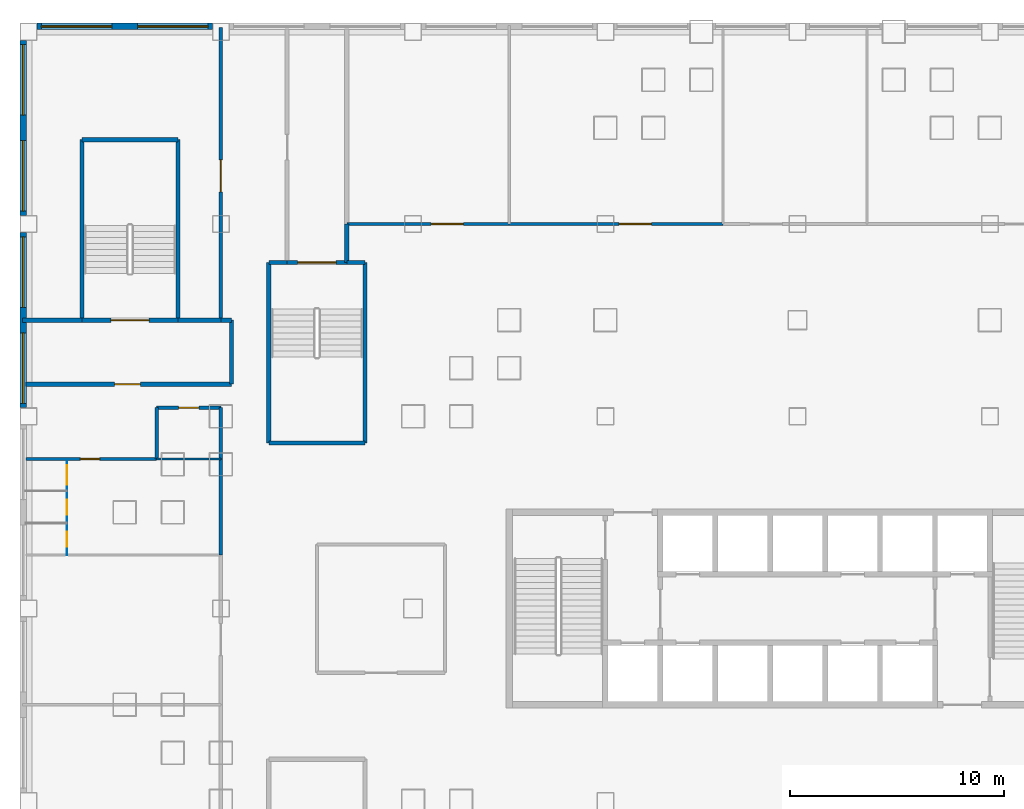
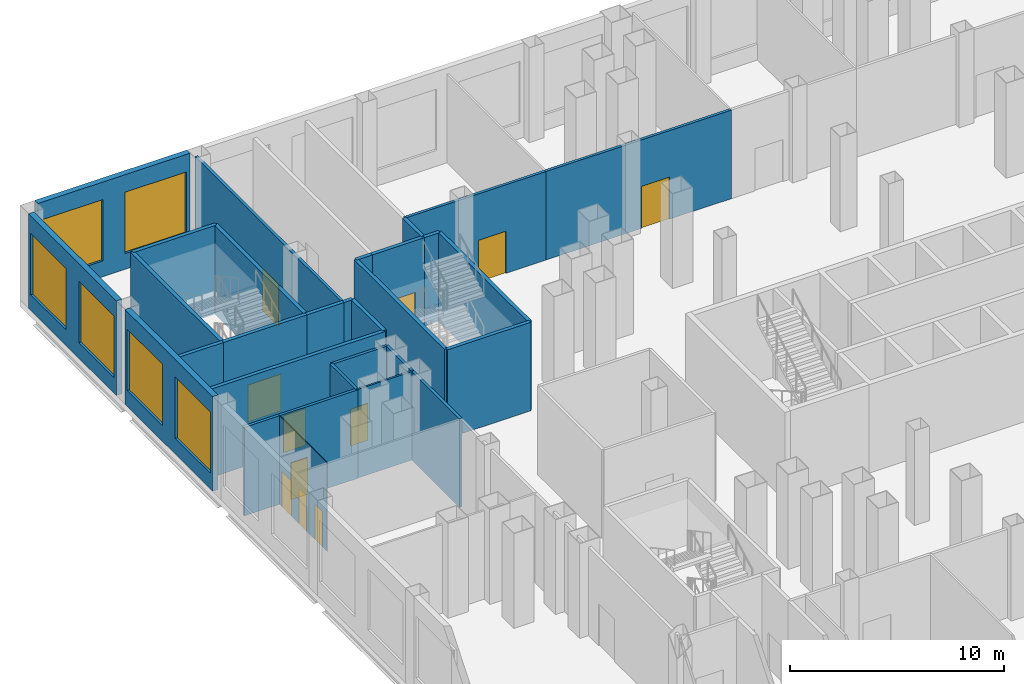
# One storey, part 6 of 27: 29 walls, 11 doors, 6 windows, 17 openings.
"""IFC4 building model written with IfcOpenShell, lengths in metres."""

from ifc_helpers import new_model, si_unit, direction, frame, frame_2d, origin, place, context, subcontext, project, spatial, rectangle, extrude, material, layer, layer_set, type_object, element, fill, save


model = new_model("IFC4")

# Units and contexts
model_context = context("Model", 3, precision=1e-05, world=origin(), true_north=direction((0.0, 1.0)))
body_context = subcontext(model_context, "Body", "Model", "MODEL_VIEW")
ifc_project = project(units=[si_unit("LENGTHUNIT", "METRE"), si_unit("AREAUNIT", "SQUARE_METRE"), si_unit("VOLUMEUNIT", "CUBIC_METRE"), si_unit("PLANEANGLEUNIT", "RADIAN"), si_unit("MASSUNIT", "GRAM", prefix="KILO")], contexts=[model_context])

# Site, building, storey
site_placement = place(None, origin())
site = spatial("IfcSite", under=ifc_project, at=site_placement, CompositionType="ELEMENT")
building_placement = place(site_placement, origin())
building = spatial("IfcBuilding", under=site, at=building_placement, Name="Caravel Reach Hotel and Residences", CompositionType="ELEMENT")
storey_placement = place(building_placement, frame((0.0, 0.0, 6.60009765625)))
storey = spatial("IfcBuildingStorey", under=building, at=storey_placement, Name="L01", CompositionType="ELEMENT", Elevation=6.60009765625)

# Wall, opening, door
ifc_material_1 = material(Name="Autoclaved aerated block wall")
ifc_layer_1 = layer(ifc_material_1, 0.199951171875)
ifc_layer_set_1 = layer_set([ifc_layer_1], Name="Compartment wall 200 mm EI 120")
wall_type_1 = type_object("IfcWallType", Name="Compartment wall 200 mm EI 120", PredefinedType="PARTITIONING", material=ifc_layer_set_1)
wall_1_placement = place(storey_placement, frame((-4.6201171875, 37.5, 0.0), z_axis=(0.0, 0.0, 1.0), x_axis=(1.0, 0.0, 0.0)))
wall_1 = element("IfcWall", 1, at=wall_1_placement, inside=storey, type_object=wall_type_1, Name="L01 wall w065", PredefinedType="PARTITIONING", context=body_context, shape_type="SweptSolid", body=[
    extrude(rectangle(XDim=9.6201171875, YDim=0.199951171875, at=frame_2d((4.81005859375, 0.0))), origin(), (0.0, 0.0, 1.0), 5.0498046875),
])
opening_1_placement = place(wall_1_placement, frame((4.14990234375, 0.0, 0.0)))
opening_1 = element("IfcOpeningElement", 2, at=opening_1_placement, cuts=wall_1, Name="Opening D01-022", PredefinedType="OPENING", context=body_context, shape_type="SweptSolid", body=[
    extrude(rectangle(XDim=1.199951171875, YDim=2.10009765625, at=frame_2d((0.60009765625, 1.050048828125))), frame((0.0, 0.10986328125, 0.0), z_axis=(0.0, -1.0, 0.0), x_axis=(1.0, 0.0, 0.0)), (0.0, 0.0, 1.0), 0.219970703125),
])
ifc_material_2 = material(Name="Steel fire door leaf", Category="steel")
door_type_1 = type_object("IfcDoorType", Name="Fire lobby door 1200 x 2100 EI 90", OperationType="SINGLE_SWING_LEFT", PredefinedType="DOOR", material=ifc_material_2)
door_1_placement = place(opening_1_placement, origin())
door_1 = element("IfcDoor", 3, at=door_1_placement, inside=storey, type_object=door_type_1, Name="door D01-022", OperationType="SINGLE_SWING_LEFT", OverallHeight=2.10009765625, OverallWidth=1.199951171875, PredefinedType="DOOR", context=body_context, shape_type="SweptSolid", body=[
    extrude(rectangle(XDim=1.199951171875, YDim=2.10009765625, at=frame_2d((0.60009765625, 1.050048828125))), frame((0.0, 0.02490234375, 0.0), z_axis=(0.0, -1.0, 0.0), x_axis=(1.0, 0.0, 0.0)), (0.0, 0.0, 1.0), 0.050048828125),
])
fill(opening_1, door_1)

# Walls
wall_2_placement = place(storey_placement, frame((4.5, 40.5, 0.0), z_axis=(0.0, 0.0, 1.0), x_axis=(1.0, 0.0, 0.0)))
element("IfcWall", 4, at=wall_2_placement, inside=storey, type_object=wall_type_1, Name="L01 wall w069", PredefinedType="PARTITIONING", context=body_context, shape_type="SweptSolid", body=[
    extrude(rectangle(XDim=0.5, YDim=0.199951171875, at=frame_2d((0.25, 0.0))), origin(), (0.0, 0.0, 1.0), 5.0498046875),
])
wall_3_placement = place(storey_placement, frame((-4.7900390625, 40.5, 0.0), z_axis=(0.0, 0.0, 1.0), x_axis=(1.0, 0.0, 0.0)))
element("IfcWall", 5, at=wall_3_placement, inside=storey, type_object=wall_type_1, Name="L01 wall w070", PredefinedType="PARTITIONING", context=body_context, shape_type="SweptSolid", body=[
    extrude(rectangle(XDim=2.7900390625, YDim=0.199951171875, at=frame_2d((1.39501953125, 0.0))), origin(), (0.0, 0.0, 1.0), 5.0498046875),
])
wall_4_placement = place(storey_placement, frame((2.5, 40.5, 0.0), z_axis=(0.0, 0.0, 1.0), x_axis=(1.0, 0.0, 0.0)))
element("IfcWall", 6, at=wall_4_placement, inside=storey, type_object=wall_type_1, Name="L01 wall w071", PredefinedType="PARTITIONING", context=body_context, shape_type="SweptSolid", body=[
    extrude(rectangle(XDim=2.0, YDim=0.199951171875, at=frame_2d((1.0, 0.0))), origin(), (0.0, 0.0, 1.0), 5.0498046875),
])
wall_5_placement = place(storey_placement, frame((10.39990234375, 43.199951171875, 0.0), z_axis=(0.0, 0.0, 1.0), x_axis=(0.0, 1.0, 0.0)))
element("IfcWall", 7, at=wall_5_placement, inside=storey, type_object=wall_type_1, Name="L01 wall w075", PredefinedType="PARTITIONING", context=body_context, shape_type="SweptSolid", body=[
    extrude(rectangle(XDim=1.800048828125, YDim=0.199951171875, at=frame_2d((0.89990234375, 0.0))), origin(), (0.0, 0.0, 1.0), 5.0498046875),
])
wall_6_placement = place(storey_placement, frame((5.0, 37.5, 0.0), z_axis=(0.0, 0.0, 1.0), x_axis=(0.0, 1.0, 0.0)))
element("IfcWall", 8, at=wall_6_placement, inside=storey, type_object=wall_type_1, Name="L01 wall w079", PredefinedType="PARTITIONING", context=body_context, shape_type="SweptSolid", body=[
    extrude(rectangle(XDim=3.0, YDim=0.199951171875, at=frame_2d((1.5, 0.0))), origin(), (0.0, 0.0, 1.0), 5.0498046875),
])

# Wall, opening, door
ifc_material_3 = material(Name="Gypsum board on steel stud, fire-rated", Category="steel")
ifc_layer_2 = layer(ifc_material_3, 0.14990234375)
ifc_layer_set_2 = layer_set([ifc_layer_2], Name="Corridor wall 150 mm EI 60")
wall_type_2 = type_object("IfcWallType", Name="Corridor wall 150 mm EI 60", PredefinedType="PARTITIONING", material=ifc_layer_set_2)
wall_7_placement = place(storey_placement, frame((-4.6201171875, 34.0, 0.0), z_axis=(0.0, 0.0, 1.0), x_axis=(1.0, 0.0, 0.0)))
wall_7 = element("IfcWall", 9, at=wall_7_placement, inside=storey, type_object=wall_type_2, Name="L01 wall w005", PredefinedType="PARTITIONING", context=body_context, shape_type="SweptSolid", body=[
    extrude(rectangle(XDim=6.1201171875, YDim=0.14990234375, at=frame_2d((3.06005859375, 0.0))), origin(), (0.0, 0.0, 1.0), 5.0498046875),
])
opening_2_placement = place(wall_7_placement, frame((2.550048828125, 0.0, 0.0)))
opening_2 = element("IfcOpeningElement", 10, at=opening_2_placement, cuts=wall_7, Name="Opening D01-031", PredefinedType="OPENING", context=body_context, shape_type="SweptSolid", body=[
    extrude(rectangle(XDim=0.89990234375, YDim=2.10009765625, at=frame_2d((0.449951171875, 1.050048828125))), frame((0.0, 0.0849609375, 0.0), z_axis=(0.0, -1.0, 0.0), x_axis=(1.0, 0.0, 0.0)), (0.0, 0.0, 1.0), 0.169921875),
])
ifc_material_4 = material(Name="Timber and steel door leaf", Category="steel")
door_type_2 = type_object("IfcDoorType", Name="Door 900 x 2100 timber", OperationType="SINGLE_SWING_LEFT", PredefinedType="DOOR", material=ifc_material_4)
door_2_placement = place(opening_2_placement, origin())
door_2 = element("IfcDoor", 11, at=door_2_placement, inside=storey, type_object=door_type_2, Name="door D01-031", OperationType="SINGLE_SWING_RIGHT", OverallHeight=2.10009765625, OverallWidth=0.89990234375, PredefinedType="DOOR", context=body_context, shape_type="SweptSolid", body=[
    extrude(rectangle(XDim=0.89990234375, YDim=2.10009765625, at=frame_2d((0.449951171875, 1.050048828125))), frame((0.0, 0.02490234375, 0.0), z_axis=(0.0, -1.0, 0.0), x_axis=(1.0, 0.0, 0.0)), (0.0, 0.0, 1.0), 0.050048828125),
])
fill(opening_2, door_2)

wall_8_placement = place(storey_placement, frame((1.5, 36.39990234375, 0.0), z_axis=(0.0, 0.0, 1.0), x_axis=(1.0, 0.0, 0.0)))
wall_8 = element("IfcWall", 12, at=wall_8_placement, inside=storey, type_object=wall_type_2, Name="L01 wall w007", PredefinedType="PARTITIONING", context=body_context, shape_type="SweptSolid", body=[
    extrude(rectangle(XDim=3.0, YDim=0.14990234375, at=frame_2d((1.5, 0.0))), origin(), (0.0, 0.0, 1.0), 5.0498046875),
])
opening_3_placement = place(wall_8_placement, frame((1.02490234375, 0.0, 0.0)))
opening_3 = element("IfcOpeningElement", 13, at=opening_3_placement, cuts=wall_8, Name="Opening D01-032", PredefinedType="OPENING", context=body_context, shape_type="SweptSolid", body=[
    extrude(rectangle(XDim=0.949951171875, YDim=2.10009765625, at=frame_2d((0.47509765625, 1.050048828125))), frame((0.0, 0.0849609375, 0.0), z_axis=(0.0, -1.0, 0.0), x_axis=(1.0, 0.0, 0.0)), (0.0, 0.0, 1.0), 0.169921875),
])
ifc_material_5 = material(Name="Timber and steel door leaf", Category="steel")
door_type_3 = type_object("IfcDoorType", Name="Accessible WC door 950 x 2100", OperationType="SINGLE_SWING_LEFT", PredefinedType="DOOR", material=ifc_material_5)
door_3_placement = place(opening_3_placement, origin())
door_3 = element("IfcDoor", 14, at=door_3_placement, inside=storey, type_object=door_type_3, Name="door D01-032", OperationType="SINGLE_SWING_LEFT", OverallHeight=2.10009765625, OverallWidth=0.949951171875, PredefinedType="DOOR", context=body_context, shape_type="SweptSolid", body=[
    extrude(rectangle(XDim=0.949951171875, YDim=2.10009765625, at=frame_2d((0.47509765625, 1.050048828125))), frame((0.0, 0.02490234375, 0.0), z_axis=(0.0, -1.0, 0.0), x_axis=(1.0, 0.0, 0.0)), (0.0, 0.0, 1.0), 0.050048828125),
])
fill(opening_3, door_3)

wall_9_placement = place(storey_placement, frame((10.39990234375, 45.0, 0.0), z_axis=(0.0, 0.0, 1.0), x_axis=(1.0, 0.0, 0.0)))
wall_9 = element("IfcWall", 15, at=wall_9_placement, inside=storey, type_object=wall_type_2, Name="L01 wall w009", PredefinedType="PARTITIONING", context=body_context, shape_type="SweptSolid", body=[
    extrude(rectangle(XDim=7.60009765625, YDim=0.14990234375, at=frame_2d((3.800048828125, 0.0))), origin(), (0.0, 0.0, 1.0), 5.0498046875),
])
opening_4_placement = place(wall_9_placement, frame((3.949951171875, 0.0, 0.0)))
opening_4 = element("IfcOpeningElement", 16, at=opening_4_placement, cuts=wall_9, Name="Opening D01-046", PredefinedType="OPENING", context=body_context, shape_type="SweptSolid", body=[
    extrude(rectangle(XDim=1.5, YDim=2.39990234375, at=frame_2d((0.75, 1.199951171875))), frame((0.0, 0.0849609375, 0.0), z_axis=(0.0, -1.0, 0.0), x_axis=(1.0, 0.0, 0.0)), (0.0, 0.0, 1.0), 0.169921875),
])
ifc_material_6 = material(Name="Timber and steel door leaf", Category="steel")
door_type_4 = type_object("IfcDoorType", Name="Shopfront door 1500 x 2400", OperationType="DOUBLE_DOOR_SINGLE_SWING", PredefinedType="DOOR", material=ifc_material_6)
door_4_placement = place(opening_4_placement, origin())
door_4 = element("IfcDoor", 17, at=door_4_placement, inside=storey, type_object=door_type_4, Name="door D01-046", OperationType="DOUBLE_DOOR_SINGLE_SWING", OverallHeight=2.39990234375, OverallWidth=1.5, PredefinedType="DOOR", context=body_context, shape_type="SweptSolid", body=[
    extrude(rectangle(XDim=1.5, YDim=2.39990234375, at=frame_2d((0.75, 1.199951171875))), frame((0.0, 0.02490234375, 0.0), z_axis=(0.0, -1.0, 0.0), x_axis=(1.0, 0.0, 0.0)), (0.0, 0.0, 1.0), 0.050048828125),
])
fill(opening_4, door_4)

wall_10_placement = place(storey_placement, frame((18.0, 45.0, 0.0), z_axis=(0.0, 0.0, 1.0), x_axis=(1.0, 0.0, 0.0)))
wall_10 = element("IfcWall", 18, at=wall_10_placement, inside=storey, type_object=wall_type_2, Name="L01 wall w010", PredefinedType="PARTITIONING", context=body_context, shape_type="SweptSolid", body=[
    extrude(rectangle(XDim=10.0, YDim=0.14990234375, at=frame_2d((5.0, 0.0))), origin(), (0.0, 0.0, 1.0), 5.0498046875),
])
opening_5_placement = place(wall_10_placement, frame((5.14990234375, 0.0, 0.0)))
opening_5 = element("IfcOpeningElement", 19, at=opening_5_placement, cuts=wall_10, Name="Opening D01-047", PredefinedType="OPENING", context=body_context, shape_type="SweptSolid", body=[
    extrude(rectangle(XDim=1.5, YDim=2.39990234375, at=frame_2d((0.75, 1.199951171875))), frame((0.0, 0.0849609375, 0.0), z_axis=(0.0, -1.0, 0.0), x_axis=(1.0, 0.0, 0.0)), (0.0, 0.0, 1.0), 0.169921875),
])
door_5_placement = place(opening_5_placement, origin())
door_5 = element("IfcDoor", 20, at=door_5_placement, inside=storey, type_object=door_type_4, Name="door D01-047", OperationType="DOUBLE_DOOR_SINGLE_SWING", OverallHeight=2.39990234375, OverallWidth=1.5, PredefinedType="DOOR", context=body_context, shape_type="SweptSolid", body=[
    extrude(rectangle(XDim=1.5, YDim=2.39990234375, at=frame_2d((0.75, 1.199951171875))), frame((0.0, 0.02490234375, 0.0), z_axis=(0.0, -1.0, 0.0), x_axis=(1.0, 0.0, 0.0)), (0.0, 0.0, 1.0), 0.050048828125),
])
fill(opening_5, door_5)

# Walls
wall_11_placement = place(storey_placement, frame((1.5, 34.0, 0.0), z_axis=(0.0, 0.0, 1.0), x_axis=(0.0, 1.0, 0.0)))
element("IfcWall", 21, at=wall_11_placement, inside=storey, type_object=wall_type_2, Name="L01 wall w023", PredefinedType="PARTITIONING", context=body_context, shape_type="SweptSolid", body=[
    extrude(rectangle(XDim=2.39990234375, YDim=0.14990234375, at=frame_2d((1.199951171875, 0.0))), origin(), (0.0, 0.0, 1.0), 5.0498046875),
])
wall_12_placement = place(storey_placement, frame((4.5, 29.5, 0.0), z_axis=(0.0, 0.0, 1.0), x_axis=(0.0, 1.0, 0.0)))
element("IfcWall", 22, at=wall_12_placement, inside=storey, type_object=wall_type_2, Name="L01 wall w027", PredefinedType="PARTITIONING", context=body_context, shape_type="SweptSolid", body=[
    extrude(rectangle(XDim=4.5, YDim=0.14990234375, at=frame_2d((2.25, 0.0))), origin(), (0.0, 0.0, 1.0), 5.0498046875),
])
wall_13_placement = place(storey_placement, frame((4.5, 34.0, 0.0), z_axis=(0.0, 0.0, 1.0), x_axis=(0.0, 1.0, 0.0)))
element("IfcWall", 23, at=wall_13_placement, inside=storey, type_object=wall_type_2, Name="L01 wall w028", PredefinedType="PARTITIONING", context=body_context, shape_type="SweptSolid", body=[
    extrude(rectangle(XDim=2.39990234375, YDim=0.14990234375, at=frame_2d((1.199951171875, 0.0))), origin(), (0.0, 0.0, 1.0), 5.0498046875),
])

# Wall, opening, door
wall_14_placement = place(storey_placement, frame((4.5, 40.5, 0.0), z_axis=(0.0, 0.0, 1.0), x_axis=(0.0, 1.0, 0.0)))
wall_14 = element("IfcWall", 24, at=wall_14_placement, inside=storey, type_object=wall_type_2, Name="L01 wall w029", PredefinedType="PARTITIONING", context=body_context, shape_type="SweptSolid", body=[
    extrude(rectangle(XDim=13.68994140625, YDim=0.14990234375, at=frame_2d((6.844970703125, 0.0))), origin(), (0.0, 0.0, 1.0), 5.0498046875),
])
opening_6_placement = place(wall_14_placement, frame((6.0, 0.0, 0.0)))
opening_6 = element("IfcOpeningElement", 25, at=opening_6_placement, cuts=wall_14, Name="Opening D01-033", PredefinedType="OPENING", context=body_context, shape_type="SweptSolid", body=[
    extrude(rectangle(XDim=1.5, YDim=2.39990234375, at=frame_2d((0.75, 1.199951171875))), frame((0.0, 0.0849609375, 0.0), z_axis=(0.0, -1.0, 0.0), x_axis=(1.0, 0.0, 0.0)), (0.0, 0.0, 1.0), 0.169921875),
])
door_6_placement = place(opening_6_placement, origin())
door_6 = element("IfcDoor", 26, at=door_6_placement, inside=storey, type_object=door_type_4, Name="door D01-033", OperationType="DOUBLE_DOOR_SINGLE_SWING", OverallHeight=2.39990234375, OverallWidth=1.5, PredefinedType="DOOR", context=body_context, shape_type="SweptSolid", body=[
    extrude(rectangle(XDim=1.5, YDim=2.39990234375, at=frame_2d((0.75, 1.199951171875))), frame((0.0, 0.02490234375, 0.0), z_axis=(0.0, -1.0, 0.0), x_axis=(1.0, 0.0, 0.0)), (0.0, 0.0, 1.0), 0.050048828125),
])
fill(opening_6, door_6)

# Wall, openings, windows
ifc_material_7 = material(Name="Insulated wall, stone cladding", Category="masonry")
ifc_layer_3 = layer(ifc_material_7, 0.300048828125)
ifc_layer_set_3 = layer_set([ifc_layer_3], Name="EW2 Podium stone-clad wall")
wall_type_3 = type_object("IfcWallType", Name="EW2 Podium stone-clad wall", PredefinedType="SOLIDWALL", material=ifc_layer_set_3)
wall_15_placement = place(storey_placement, frame((4.10009765625, 54.25, 0.0), z_axis=(0.0, 0.0, 1.0), x_axis=(-1.0, 0.0, 0.0)))
wall_15 = element("IfcWall", 27, at=wall_15_placement, inside=storey, type_object=wall_type_3, Name="External wall L01 N2.10", PredefinedType="SOLIDWALL", context=body_context, shape_type="SweptSolid", body=[
    extrude(rectangle(XDim=8.2001953125, YDim=0.300048828125, at=frame_2d((4.10009765625, 0.0))), origin(), (0.0, 0.0, 1.0), 5.39990234375),
])
opening_7_placement = place(wall_15_placement, frame((0.199951171875, 0.0, 0.89990234375)))
opening_7 = element("IfcOpeningElement", 28, at=opening_7_placement, cuts=wall_15, Name="Opening WN30", PredefinedType="OPENING", context=body_context, shape_type="SweptSolid", body=[
    extrude(rectangle(XDim=3.300048828125, YDim=3.5, at=frame_2d((1.64990234375, 1.75))), frame((0.0, 0.159912109375, 0.0), z_axis=(0.0, -1.0, 0.0), x_axis=(1.0, 0.0, 0.0)), (0.0, 0.0, 1.0), 0.320068359375),
])
opening_8_placement = place(wall_15_placement, frame((4.699951171875, 0.0, 0.89990234375)))
opening_8 = element("IfcOpeningElement", 29, at=opening_8_placement, cuts=wall_15, Name="Opening WN30", PredefinedType="OPENING", context=body_context, shape_type="SweptSolid", body=[
    extrude(rectangle(XDim=3.300048828125, YDim=3.5, at=frame_2d((1.64990234375, 1.75))), frame((0.0, 0.159912109375, 0.0), z_axis=(0.0, -1.0, 0.0), x_axis=(1.0, 0.0, 0.0)), (0.0, 0.0, 1.0), 0.320068359375),
])
ifc_material_8 = material(Name="Dark low-e glazing in black aluminium frame", Category="aluminium")
window_type = type_object("IfcWindowType", Name="Podium window 3300 x 3500", PartitioningType="SINGLE_PANEL", PredefinedType="WINDOW", material=ifc_material_8)
window_1_placement = place(opening_7_placement, origin())
window_1 = element("IfcWindow", 30, at=window_1_placement, inside=storey, type_object=window_type, Name="Window L01 N2.10.1", OverallHeight=3.5, OverallWidth=3.300048828125, PartitioningType="SINGLE_PANEL", PredefinedType="WINDOW", context=body_context, shape_type="SweptSolid", body=[
    extrude(rectangle(XDim=3.300048828125, YDim=3.5, at=frame_2d((1.64990234375, 1.75))), frame((0.0, 0.030029296875, 0.0), z_axis=(0.0, -1.0, 0.0), x_axis=(1.0, 0.0, 0.0)), (0.0, 0.0, 1.0), 0.06005859375),
])
fill(opening_7, window_1)
window_2_placement = place(opening_8_placement, origin())
window_2 = element("IfcWindow", 31, at=window_2_placement, inside=storey, type_object=window_type, Name="Window L01 N2.10.2", OverallHeight=3.5, OverallWidth=3.300048828125, PartitioningType="SINGLE_PANEL", PredefinedType="WINDOW", context=body_context, shape_type="SweptSolid", body=[
    extrude(rectangle(XDim=3.300048828125, YDim=3.5, at=frame_2d((1.64990234375, 1.75))), frame((0.0, 0.030029296875, 0.0), z_axis=(0.0, -1.0, 0.0), x_axis=(1.0, 0.0, 0.0)), (0.0, 0.0, 1.0), 0.06005859375),
])
fill(opening_8, window_2)

wall_16_placement = place(storey_placement, frame((-4.75, 53.60009765625, 0.0), z_axis=(0.0, 0.0, 1.0), x_axis=(0.0, -1.0, 0.0)))
wall_16 = element("IfcWall", 32, at=wall_16_placement, inside=storey, type_object=wall_type_3, Name="External wall L01 W3.1", PredefinedType="SOLIDWALL", context=body_context, shape_type="SweptSolid", body=[
    extrude(rectangle(XDim=8.2001953125, YDim=0.300048828125, at=frame_2d((4.10009765625, 0.0))), origin(), (0.0, 0.0, 1.0), 5.39990234375),
])
opening_9_placement = place(wall_16_placement, frame((0.199951171875, 0.0, 0.89990234375)))
opening_9 = element("IfcOpeningElement", 33, at=opening_9_placement, cuts=wall_16, Name="Opening WN30", PredefinedType="OPENING", context=body_context, shape_type="SweptSolid", body=[
    extrude(rectangle(XDim=3.300048828125, YDim=3.5, at=frame_2d((1.64990234375, 1.75))), frame((0.0, 0.159912109375, 0.0), z_axis=(0.0, -1.0, 0.0), x_axis=(1.0, 0.0, 0.0)), (0.0, 0.0, 1.0), 0.320068359375),
])
opening_10_placement = place(wall_16_placement, frame((4.699951171875, 0.0, 0.89990234375)))
opening_10 = element("IfcOpeningElement", 34, at=opening_10_placement, cuts=wall_16, Name="Opening WN30", PredefinedType="OPENING", context=body_context, shape_type="SweptSolid", body=[
    extrude(rectangle(XDim=3.300048828125, YDim=3.5, at=frame_2d((1.64990234375, 1.75))), frame((0.0, 0.159912109375, 0.0), z_axis=(0.0, -1.0, 0.0), x_axis=(1.0, 0.0, 0.0)), (0.0, 0.0, 1.0), 0.320068359375),
])
window_3_placement = place(opening_9_placement, origin())
window_3 = element("IfcWindow", 35, at=window_3_placement, inside=storey, type_object=window_type, Name="Window L01 W3.1.1", OverallHeight=3.5, OverallWidth=3.300048828125, PartitioningType="SINGLE_PANEL", PredefinedType="WINDOW", context=body_context, shape_type="SweptSolid", body=[
    extrude(rectangle(XDim=3.300048828125, YDim=3.5, at=frame_2d((1.64990234375, 1.75))), frame((0.0, 0.030029296875, 0.0), z_axis=(0.0, -1.0, 0.0), x_axis=(1.0, 0.0, 0.0)), (0.0, 0.0, 1.0), 0.06005859375),
])
fill(opening_9, window_3)
window_4_placement = place(opening_10_placement, origin())
window_4 = element("IfcWindow", 36, at=window_4_placement, inside=storey, type_object=window_type, Name="Window L01 W3.1.2", OverallHeight=3.5, OverallWidth=3.300048828125, PartitioningType="SINGLE_PANEL", PredefinedType="WINDOW", context=body_context, shape_type="SweptSolid", body=[
    extrude(rectangle(XDim=3.300048828125, YDim=3.5, at=frame_2d((1.64990234375, 1.75))), frame((0.0, 0.030029296875, 0.0), z_axis=(0.0, -1.0, 0.0), x_axis=(1.0, 0.0, 0.0)), (0.0, 0.0, 1.0), 0.06005859375),
])
fill(opening_10, window_4)

wall_17_placement = place(storey_placement, frame((-4.75, 44.60009765625, 0.0), z_axis=(0.0, 0.0, 1.0), x_axis=(0.0, -1.0, 0.0)))
wall_17 = element("IfcWall", 37, at=wall_17_placement, inside=storey, type_object=wall_type_3, Name="External wall L01 W3.2", PredefinedType="SOLIDWALL", context=body_context, shape_type="SweptSolid", body=[
    extrude(rectangle(XDim=8.2001953125, YDim=0.300048828125, at=frame_2d((4.10009765625, 0.0))), origin(), (0.0, 0.0, 1.0), 5.39990234375),
])
opening_11_placement = place(wall_17_placement, frame((0.199951171875, 0.0, 0.89990234375)))
opening_11 = element("IfcOpeningElement", 38, at=opening_11_placement, cuts=wall_17, Name="Opening WN30", PredefinedType="OPENING", context=body_context, shape_type="SweptSolid", body=[
    extrude(rectangle(XDim=3.300048828125, YDim=3.5, at=frame_2d((1.64990234375, 1.75))), frame((0.0, 0.159912109375, 0.0), z_axis=(0.0, -1.0, 0.0), x_axis=(1.0, 0.0, 0.0)), (0.0, 0.0, 1.0), 0.320068359375),
])
opening_12_placement = place(wall_17_placement, frame((4.699951171875, 0.0, 0.89990234375)))
opening_12 = element("IfcOpeningElement", 39, at=opening_12_placement, cuts=wall_17, Name="Opening WN30", PredefinedType="OPENING", context=body_context, shape_type="SweptSolid", body=[
    extrude(rectangle(XDim=3.300048828125, YDim=3.5, at=frame_2d((1.64990234375, 1.75))), frame((0.0, 0.159912109375, 0.0), z_axis=(0.0, -1.0, 0.0), x_axis=(1.0, 0.0, 0.0)), (0.0, 0.0, 1.0), 0.320068359375),
])
window_5_placement = place(opening_11_placement, origin())
window_5 = element("IfcWindow", 40, at=window_5_placement, inside=storey, type_object=window_type, Name="Window L01 W3.2.1", OverallHeight=3.5, OverallWidth=3.300048828125, PartitioningType="SINGLE_PANEL", PredefinedType="WINDOW", context=body_context, shape_type="SweptSolid", body=[
    extrude(rectangle(XDim=3.300048828125, YDim=3.5, at=frame_2d((1.64990234375, 1.75))), frame((0.0, 0.030029296875, 0.0), z_axis=(0.0, -1.0, 0.0), x_axis=(1.0, 0.0, 0.0)), (0.0, 0.0, 1.0), 0.06005859375),
])
fill(opening_11, window_5)
window_6_placement = place(opening_12_placement, origin())
window_6 = element("IfcWindow", 41, at=window_6_placement, inside=storey, type_object=window_type, Name="Window L01 W3.2.2", OverallHeight=3.5, OverallWidth=3.300048828125, PartitioningType="SINGLE_PANEL", PredefinedType="WINDOW", context=body_context, shape_type="SweptSolid", body=[
    extrude(rectangle(XDim=3.300048828125, YDim=3.5, at=frame_2d((1.64990234375, 1.75))), frame((0.0, 0.030029296875, 0.0), z_axis=(0.0, -1.0, 0.0), x_axis=(1.0, 0.0, 0.0)), (0.0, 0.0, 1.0), 0.06005859375),
])
fill(opening_12, window_6)

# Walls
ifc_material_9 = material(Name="Gypsum board on steel stud", Category="steel")
ifc_layer_4 = layer(ifc_material_9, 0.10009765625)
ifc_layer_set_4 = layer_set([ifc_layer_4], Name="Partition 100 mm")
wall_type_4 = type_object("IfcWallType", Name="Partition 100 mm", PredefinedType="PARTITIONING", material=ifc_layer_set_4)
wall_18_placement = place(storey_placement, frame((1.5, 34.0, 0.0), z_axis=(0.0, 0.0, 1.0), x_axis=(1.0, 0.0, 0.0)))
element("IfcWall", 42, at=wall_18_placement, inside=storey, type_object=wall_type_4, Name="L01 wall w044", PredefinedType="PARTITIONING", context=body_context, shape_type="SweptSolid", body=[
    extrude(rectangle(XDim=3.0, YDim=0.10009765625, at=frame_2d((1.5, 0.0))), origin(), (0.0, 0.0, 1.0), 5.0498046875),
])
ifc_material_10 = material(Name="Concrete C60", Category="concrete")
ifc_layer_5 = layer(ifc_material_10, 0.199951171875)
ifc_layer_set_5 = layer_set([ifc_layer_5], Name="Stair enclosure wall 200 mm EI 120")
wall_type_5 = type_object("IfcWallType", Name="Stair enclosure wall 200 mm EI 120", PredefinedType="SHEAR", material=ifc_layer_set_5)
wall_19_placement = place(storey_placement, frame((6.75, 34.75, 0.0), z_axis=(0.0, 0.0, 1.0), x_axis=(1.0, 0.0, 0.0)))
element("IfcWall", 43, at=wall_19_placement, inside=storey, type_object=wall_type_5, Name="L01 wall w101", PredefinedType="SHEAR", context=body_context, shape_type="SweptSolid", body=[
    extrude(rectangle(XDim=4.5, YDim=0.199951171875, at=frame_2d((2.25, 0.0))), origin(), (0.0, 0.0, 1.0), 5.0498046875),
])

# Wall, opening, door
wall_20_placement = place(storey_placement, frame((-2.0, 40.5, 0.0), z_axis=(0.0, 0.0, 1.0), x_axis=(1.0, 0.0, 0.0)))
wall_20 = element("IfcWall", 44, at=wall_20_placement, inside=storey, type_object=wall_type_5, Name="L01 wall w103", PredefinedType="SHEAR", context=body_context, shape_type="SweptSolid", body=[
    extrude(rectangle(XDim=4.5, YDim=0.199951171875, at=frame_2d((2.25, 0.0))), origin(), (0.0, 0.0, 1.0), 5.0498046875),
])
opening_13_placement = place(wall_20_placement, frame((1.35009765625, 0.0, 0.0)))
opening_13 = element("IfcOpeningElement", 45, at=opening_13_placement, cuts=wall_20, Name="Opening D01-023", PredefinedType="OPENING", context=body_context, shape_type="SweptSolid", body=[
    extrude(rectangle(XDim=1.800048828125, YDim=2.10009765625, at=frame_2d((0.89990234375, 1.050048828125))), frame((0.0, 0.10986328125, 0.0), z_axis=(0.0, -1.0, 0.0), x_axis=(1.0, 0.0, 0.0)), (0.0, 0.0, 1.0), 0.219970703125),
])
ifc_material_11 = material(Name="Steel fire door leaf", Category="steel")
door_type_5 = type_object("IfcDoorType", Name="Stair door pair 1800 x 2100 EI 90", OperationType="DOUBLE_DOOR_SINGLE_SWING", PredefinedType="DOOR", material=ifc_material_11)
door_7_placement = place(opening_13_placement, origin())
door_7 = element("IfcDoor", 46, at=door_7_placement, inside=storey, type_object=door_type_5, Name="door D01-023", OperationType="DOUBLE_DOOR_SINGLE_SWING", OverallHeight=2.10009765625, OverallWidth=1.800048828125, PredefinedType="DOOR", context=body_context, shape_type="SweptSolid", body=[
    extrude(rectangle(XDim=1.800048828125, YDim=2.10009765625, at=frame_2d((0.89990234375, 1.050048828125))), frame((0.0, 0.02490234375, 0.0), z_axis=(0.0, -1.0, 0.0), x_axis=(1.0, 0.0, 0.0)), (0.0, 0.0, 1.0), 0.050048828125),
])
fill(opening_13, door_7)

# Walls
for number, where, z_axis, x_axis, name in (
    (47, (6.75, 43.199951171875, 0.0), (0.0, 0.0, 1.0), (1.0, 0.0, 0.0), "L01 wall w105"),
    (48, (10.39990234375, 43.199951171875, 0.0), (0.0, 0.0, 1.0), (1.0, 0.0, 0.0), "L01 wall w106"),
):
    element("IfcWall", number, at=place(storey_placement, frame(where, z_axis=z_axis, x_axis=x_axis)), inside=storey, type_object=wall_type_5, Name=name, PredefinedType="SHEAR", context=body_context, shape_type="SweptSolid", body=[
        extrude(rectangle(XDim=0.85009765625, YDim=0.199951171875, at=frame_2d((0.425048828125, 0.0))), origin(), (0.0, 0.0, 1.0), 5.0498046875),
    ])

# Wall, opening, door
wall_21_placement = place(storey_placement, frame((7.60009765625, 43.199951171875, 0.0), z_axis=(0.0, 0.0, 1.0), x_axis=(1.0, 0.0, 0.0)))
wall_21 = element("IfcWall", 49, at=wall_21_placement, inside=storey, type_object=wall_type_5, Name="L01 wall w107", PredefinedType="SHEAR", context=body_context, shape_type="SweptSolid", body=[
    extrude(rectangle(XDim=2.7998046875, YDim=0.199951171875, at=frame_2d((1.39990234375, 0.0))), origin(), (0.0, 0.0, 1.0), 5.0498046875),
])
opening_14_placement = place(wall_21_placement, frame((0.5, 0.0, 0.0)))
opening_14 = element("IfcOpeningElement", 50, at=opening_14_placement, cuts=wall_21, Name="Opening D01-015", PredefinedType="OPENING", context=body_context, shape_type="SweptSolid", body=[
    extrude(rectangle(XDim=1.800048828125, YDim=2.10009765625, at=frame_2d((0.89990234375, 1.050048828125))), frame((0.0, 0.10986328125, 0.0), z_axis=(0.0, -1.0, 0.0), x_axis=(1.0, 0.0, 0.0)), (0.0, 0.0, 1.0), 0.219970703125),
])
door_8_placement = place(opening_14_placement, origin())
door_8 = element("IfcDoor", 51, at=door_8_placement, inside=storey, type_object=door_type_5, Name="door D01-015", OperationType="DOUBLE_DOOR_SINGLE_SWING", OverallHeight=2.10009765625, OverallWidth=1.800048828125, PredefinedType="DOOR", context=body_context, shape_type="SweptSolid", body=[
    extrude(rectangle(XDim=1.800048828125, YDim=2.10009765625, at=frame_2d((0.89990234375, 1.050048828125))), frame((0.0, 0.02490234375, 0.0), z_axis=(0.0, -1.0, 0.0), x_axis=(1.0, 0.0, 0.0)), (0.0, 0.0, 1.0), 0.050048828125),
])
fill(opening_14, door_8)

# Walls
wall_22_placement = place(storey_placement, frame((-2.0, 48.949951171875, 0.0), z_axis=(0.0, 0.0, 1.0), x_axis=(1.0, 0.0, 0.0)))
element("IfcWall", 52, at=wall_22_placement, inside=storey, type_object=wall_type_5, Name="L01 wall w111", PredefinedType="SHEAR", context=body_context, shape_type="SweptSolid", body=[
    extrude(rectangle(XDim=4.5, YDim=0.199951171875, at=frame_2d((2.25, 0.0))), origin(), (0.0, 0.0, 1.0), 5.0498046875),
])
for number, where, z_axis, x_axis, name in (
    (53, (-2.0, 40.5, 0.0), (0.0, 0.0, 1.0), (0.0, 1.0, 0.0), "L01 wall w114"),
    (54, (11.25, 34.75, 0.0), (0.0, 0.0, 1.0), (0.0, 1.0, 0.0), "L01 wall w115"),
    (55, (2.5, 40.5, 0.0), (0.0, 0.0, 1.0), (0.0, 1.0, 0.0), "L01 wall w117"),
    (56, (6.75, 34.75, 0.0), (0.0, 0.0, 1.0), (0.0, 1.0, 0.0), "L01 wall w122"),
):
    element("IfcWall", number, at=place(storey_placement, frame(where, z_axis=z_axis, x_axis=x_axis)), inside=storey, type_object=wall_type_5, Name=name, PredefinedType="SHEAR", context=body_context, shape_type="SweptSolid", body=[
        extrude(rectangle(XDim=8.449951171875, YDim=0.199951171875, at=frame_2d((4.22509765625, 0.0))), origin(), (0.0, 0.0, 1.0), 5.0498046875),
    ])

# Wall, openings, doors
ifc_material_12 = material(Name="Laminate cubicle panel")
ifc_layer_6 = layer(ifc_material_12, 0.0400390625)
ifc_layer_set_6 = layer_set([ifc_layer_6], Name="WC cubicle partition 40 mm")
wall_type_6 = type_object("IfcWallType", Name="WC cubicle partition 40 mm", PredefinedType="PARTITIONING", material=ifc_layer_set_6)
wall_23_placement = place(storey_placement, frame((-2.699951171875, 29.5, 0.0), z_axis=(0.0, 0.0, 1.0), x_axis=(0.0, 1.0, 0.0)))
wall_23 = element("IfcWall", 57, at=wall_23_placement, inside=storey, type_object=wall_type_6, Name="L01 wall cbr04.f", PredefinedType="PARTITIONING", context=body_context, shape_type="SweptSolid", body=[
    extrude(rectangle(XDim=4.5, YDim=0.0400390625, at=frame_2d((2.25, 0.0))), origin(), (0.0, 0.0, 1.0), 5.0498046875),
])
opening_15_placement = place(wall_23_placement, frame((0.39990234375, 0.0, 0.0)))
opening_15 = element("IfcOpeningElement", 58, at=opening_15_placement, cuts=wall_23, Name="Opening D01-053", PredefinedType="OPENING", context=body_context, shape_type="SweptSolid", body=[
    extrude(rectangle(XDim=0.699951171875, YDim=2.0, at=frame_2d((0.35009765625, 1.0))), frame((0.0, 0.030029296875, 0.0), z_axis=(0.0, -1.0, 0.0), x_axis=(1.0, 0.0, 0.0)), (0.0, 0.0, 1.0), 0.06005859375),
])
opening_16_placement = place(wall_23_placement, frame((1.89990234375, 0.0, 0.0)))
opening_16 = element("IfcOpeningElement", 59, at=opening_16_placement, cuts=wall_23, Name="Opening D01-054", PredefinedType="OPENING", context=body_context, shape_type="SweptSolid", body=[
    extrude(rectangle(XDim=0.699951171875, YDim=2.0, at=frame_2d((0.35009765625, 1.0))), frame((0.0, 0.030029296875, 0.0), z_axis=(0.0, -1.0, 0.0), x_axis=(1.0, 0.0, 0.0)), (0.0, 0.0, 1.0), 0.06005859375),
])
opening_17_placement = place(wall_23_placement, frame((3.300048828125, 0.0, 0.0)))
opening_17 = element("IfcOpeningElement", 60, at=opening_17_placement, cuts=wall_23, Name="Opening D01-055", PredefinedType="OPENING", context=body_context, shape_type="SweptSolid", body=[
    extrude(rectangle(XDim=0.89990234375, YDim=2.0, at=frame_2d((0.449951171875, 1.0))), frame((0.0, 0.030029296875, 0.0), z_axis=(0.0, -1.0, 0.0), x_axis=(1.0, 0.0, 0.0)), (0.0, 0.0, 1.0), 0.06005859375),
])
ifc_material_13 = material(Name="Timber and steel door leaf", Category="steel")
door_type_6 = type_object("IfcDoorType", Name="Accessible cubicle door 900 x 2000", OperationType="SINGLE_SWING_LEFT", PredefinedType="DOOR", material=ifc_material_13)
door_9_placement = place(opening_17_placement, origin())
door_9 = element("IfcDoor", 61, at=door_9_placement, inside=storey, type_object=door_type_6, Name="door D01-055", OperationType="SINGLE_SWING_RIGHT", OverallHeight=2.0, OverallWidth=0.89990234375, PredefinedType="DOOR", context=body_context, shape_type="SweptSolid", body=[
    extrude(rectangle(XDim=0.89990234375, YDim=2.0, at=frame_2d((0.449951171875, 1.0))), frame((0.0, 0.019775390625, 0.0), z_axis=(0.0, -1.0, 0.0), x_axis=(1.0, 0.0, 0.0)), (0.0, 0.0, 1.0), 0.03955078125),
])
fill(opening_17, door_9)
ifc_material_14 = material(Name="Timber and steel door leaf", Category="steel")
door_type_7 = type_object("IfcDoorType", Name="WC cubicle door 700 x 2000", OperationType="SINGLE_SWING_LEFT", PredefinedType="DOOR", material=ifc_material_14)
door_10_placement = place(opening_15_placement, origin())
door_10 = element("IfcDoor", 62, at=door_10_placement, inside=storey, type_object=door_type_7, Name="door D01-053", OperationType="SINGLE_SWING_LEFT", OverallHeight=2.0, OverallWidth=0.699951171875, PredefinedType="DOOR", context=body_context, shape_type="SweptSolid", body=[
    extrude(rectangle(XDim=0.699951171875, YDim=2.0, at=frame_2d((0.35009765625, 1.0))), frame((0.0, 0.019775390625, 0.0), z_axis=(0.0, -1.0, 0.0), x_axis=(1.0, 0.0, 0.0)), (0.0, 0.0, 1.0), 0.03955078125),
])
fill(opening_15, door_10)
door_11_placement = place(opening_16_placement, origin())
door_11 = element("IfcDoor", 63, at=door_11_placement, inside=storey, type_object=door_type_7, Name="door D01-054", OperationType="SINGLE_SWING_RIGHT", OverallHeight=2.0, OverallWidth=0.699951171875, PredefinedType="DOOR", context=body_context, shape_type="SweptSolid", body=[
    extrude(rectangle(XDim=0.699951171875, YDim=2.0, at=frame_2d((0.35009765625, 1.0))), frame((0.0, 0.019775390625, 0.0), z_axis=(0.0, -1.0, 0.0), x_axis=(1.0, 0.0, 0.0)), (0.0, 0.0, 1.0), 0.03955078125),
])
fill(opening_16, door_11)

save(model, "model.ifc")
